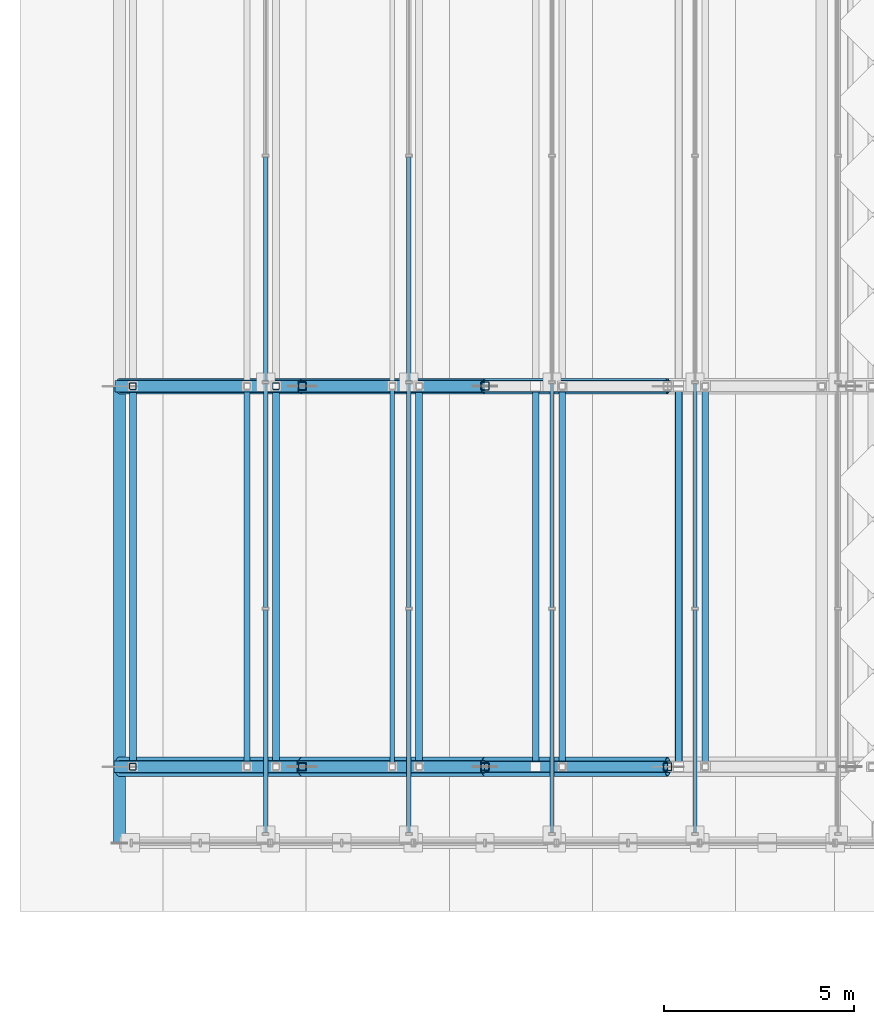
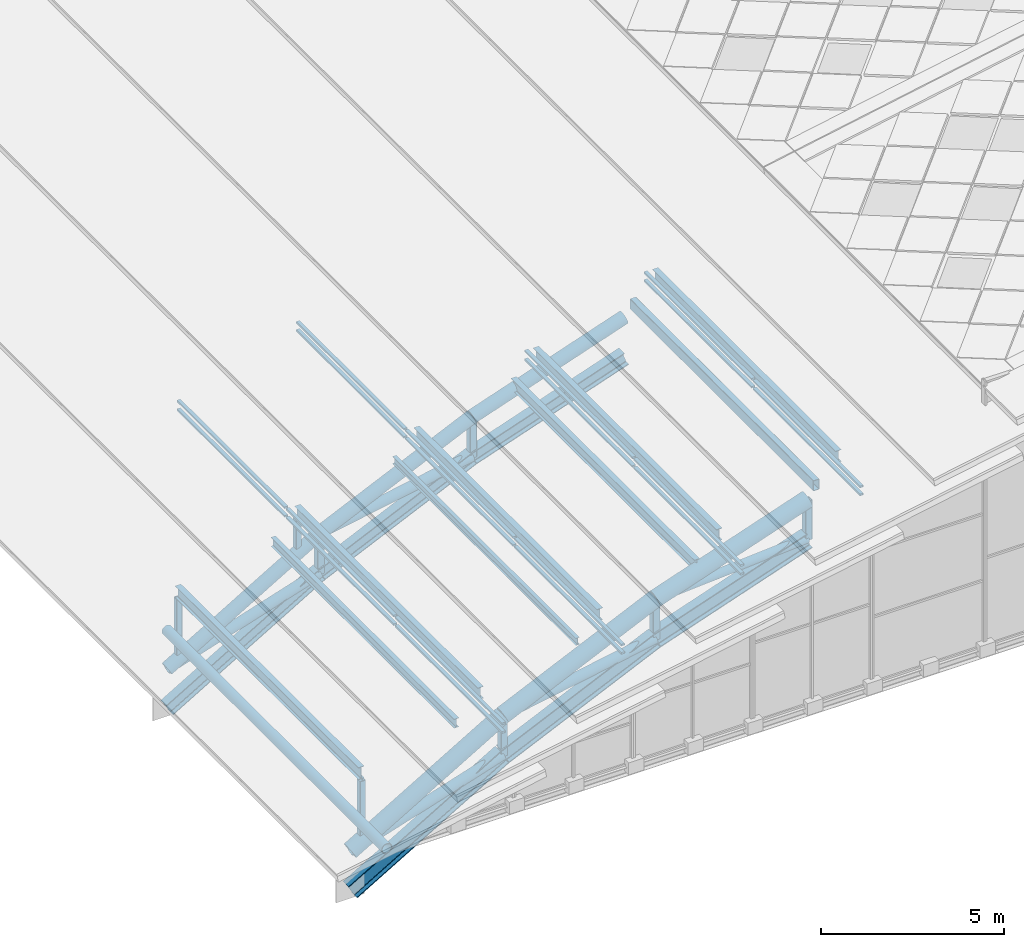
# One storey, part 4 of 117: 54 members, 1 beam, 4 elements without a shape of their own.
"""IFC4 building model written with IfcOpenShell, lengths in metres."""

from ifc_helpers import new_model, si_unit, direction, frame, origin, origin_2d, place, context, subcontext, project, spatial, hollow_rectangle, hollow_circle, i_section, extrude, material, material_profile, profile_set, type_object, element, aggregate, save


model = new_model("IFC4")

# Units and contexts
model_context = context("Model", 3, precision=1e-05, world=origin(), true_north=direction((0.0, 1.0)))
body_context = subcontext(model_context, "Body", "Model", "MODEL_VIEW")
ifc_project = project(units=[si_unit("LENGTHUNIT", "METRE"), si_unit("AREAUNIT", "SQUARE_METRE"), si_unit("VOLUMEUNIT", "CUBIC_METRE"), si_unit("PLANEANGLEUNIT", "RADIAN"), si_unit("MASSUNIT", "GRAM", prefix="KILO")], contexts=[model_context])

# Site, building, storey
site_placement = place(None, origin())
site = spatial("IfcSite", under=ifc_project, at=site_placement, CompositionType="ELEMENT")
building_placement = place(site_placement, origin())
building = spatial("IfcBuilding", under=site, at=building_placement, Name="Merenkruunu Market Hall", CompositionType="ELEMENT")
storey_placement = place(building_placement, frame((0.0, 0.0, 22.800048828125)))
storey = spatial("IfcBuildingStorey", under=building, at=storey_placement, Name="RF", CompositionType="ELEMENT", Elevation=22.800048828125)

# Members
ifc_material_1 = material(Name="Steel S355ML", Category="steel")
ifc_material_profile_1 = material_profile(ifc_material_1, hollow_circle(Radius=0.25390625, WallThickness=0.02001953125, at=origin_2d()), Name="CHS 508x20")
ifc_profile_set_1 = profile_set([ifc_material_profile_1], Name="Steel S355ML")
member_type_1 = type_object("IfcMemberType", Name="Arch Truss Chord TC01", PredefinedType="CHORD", material=ifc_profile_set_1)
member_1_placement = place(storey_placement, frame((0.0, 17.60009765625, -10.150146484375), z_axis=(0.861115679414, 0.0, 0.508409074139), x_axis=(0.0, 1.0, 0.0)))
element("IfcMember", 1, at=member_1_placement, inside=storey, type_object=member_type_1, Name="TRUSS-AT-1-TOP-01", PredefinedType="CHORD", context=body_context, shape_type="SweptSolid", body=[
    extrude(hollow_circle(Radius=0.25390625, WallThickness=0.02001953125, at=origin_2d()), origin(), (0.0, 0.0, 1.0), 5.57421875),
])
member_2_placement = place(storey_placement, frame((4.800048828125, 17.60009765625, -7.316162109375), z_axis=(0.909419998666, 0.0, 0.415878907889), x_axis=(0.0, 1.0, 0.0)))
element("IfcMember", 2, at=member_2_placement, inside=storey, type_object=member_type_1, Name="TRUSS-AT-1-TOP-02", PredefinedType="CHORD", context=body_context, shape_type="SweptSolid", body=[
    extrude(hollow_circle(Radius=0.25390625, WallThickness=0.02001953125, at=origin_2d()), origin(), (0.0, 0.0, 1.0), 5.278076171875),
])
member_3_placement = place(storey_placement, frame((9.60009765625, 17.60009765625, -5.12109375), z_axis=(0.946219828174, 0.0, 0.323524399033), x_axis=(0.0, 1.0, 0.0)))
element("IfcMember", 3, at=member_3_placement, inside=storey, type_object=member_type_1, Name="TRUSS-AT-1-TOP-03", PredefinedType="CHORD", context=body_context, shape_type="SweptSolid", body=[
    extrude(hollow_circle(Radius=0.25390625, WallThickness=0.02001953125, at=origin_2d()), origin(), (0.0, 0.0, 1.0), 5.072509765625),
])
ifc_material_profile_2 = material_profile(ifc_material_1, hollow_circle(Radius=0.203125, WallThickness=0.01611328125, at=origin_2d()), Name="CHS 406.4x16")
ifc_profile_set_2 = profile_set([ifc_material_profile_2], Name="Steel S355ML")
member_type_2 = type_object("IfcMemberType", Name="Arch Truss Chord TC02", PredefinedType="CHORD", material=ifc_profile_set_2)
member_4_placement = place(storey_placement, frame((0.0, 27.60009765625, -10.150146484375), z_axis=(0.861115679414, 0.0, 0.508409074139), x_axis=(0.0, 1.0, 0.0)))
element("IfcMember", 4, at=member_4_placement, inside=storey, type_object=member_type_2, Name="TRUSS-AT-2-TOP-01", PredefinedType="CHORD", context=body_context, shape_type="SweptSolid", body=[
    extrude(hollow_circle(Radius=0.203125, WallThickness=0.01611328125, at=origin_2d()), origin(), (0.0, 0.0, 1.0), 5.57421875),
])
member_5_placement = place(storey_placement, frame((4.800048828125, 27.60009765625, -7.316162109375), z_axis=(0.909419998666, 0.0, 0.415878907889), x_axis=(0.0, 1.0, 0.0)))
element("IfcMember", 5, at=member_5_placement, inside=storey, type_object=member_type_2, Name="TRUSS-AT-2-TOP-02", PredefinedType="CHORD", context=body_context, shape_type="SweptSolid", body=[
    extrude(hollow_circle(Radius=0.203125, WallThickness=0.01611328125, at=origin_2d()), origin(), (0.0, 0.0, 1.0), 5.278076171875),
])
member_6_placement = place(storey_placement, frame((9.60009765625, 27.60009765625, -5.12109375), z_axis=(0.946219828174, 0.0, 0.323524399033), x_axis=(0.0, 1.0, 0.0)))
element("IfcMember", 6, at=member_6_placement, inside=storey, type_object=member_type_2, Name="TRUSS-AT-2-TOP-03", PredefinedType="CHORD", context=body_context, shape_type="SweptSolid", body=[
    extrude(hollow_circle(Radius=0.203125, WallThickness=0.01611328125, at=origin_2d()), origin(), (0.0, 0.0, 1.0), 5.072509765625),
])
ifc_material_profile_3 = material_profile(ifc_material_1, i_section(OverallWidth=0.300048828125, OverallDepth=0.550048828125, WebThickness=0.014892578125, FlangeThickness=0.029052734375, FilletRadius=0.027099609375, at=origin_2d()), Name="HEB 550")
ifc_profile_set_3 = profile_set([ifc_material_profile_3], Name="Steel S355ML")
member_type_3 = type_object("IfcMemberType", Name="Arch Truss Chord TC03", PredefinedType="CHORD", material=ifc_profile_set_3)
member_7_placement = place(storey_placement, frame((0.0, 17.60009765625, -11.449951171875), z_axis=(0.861115679414, 0.0, 0.508409074139), x_axis=(0.0, 1.0, 0.0)))
element("IfcMember", 7, at=member_7_placement, inside=storey, type_object=member_type_3, Name="TRUSS-AT-1-BOT-01", PredefinedType="CHORD", context=body_context, shape_type="SweptSolid", body=[
    extrude(i_section(OverallWidth=0.300048828125, OverallDepth=0.550048828125, WebThickness=0.014892578125, FlangeThickness=0.029052734375, FilletRadius=0.027099609375, at=origin_2d()), origin(), (0.0, 0.0, 1.0), 5.57421875),
])
member_8_placement = place(storey_placement, frame((4.800048828125, 17.60009765625, -8.615966796875), z_axis=(0.909437492245, 0.0, 0.415840651812), x_axis=(0.0, 1.0, 0.0)))
element("IfcMember", 8, at=member_8_placement, inside=storey, type_object=member_type_3, Name="TRUSS-AT-1-BOT-02", PredefinedType="CHORD", context=body_context, shape_type="SweptSolid", body=[
    extrude(i_section(OverallWidth=0.300048828125, OverallDepth=0.550048828125, WebThickness=0.014892578125, FlangeThickness=0.029052734375, FilletRadius=0.027099609375, at=origin_2d()), origin(), (0.0, 0.0, 1.0), 5.278076171875),
])
member_9_placement = place(storey_placement, frame((9.60009765625, 17.60009765625, -6.421142578125), z_axis=(0.946219828174, 0.0, 0.323524399033), x_axis=(0.0, 1.0, 0.0)))
element("IfcMember", 9, at=member_9_placement, inside=storey, type_object=member_type_3, Name="TRUSS-AT-1-BOT-03", PredefinedType="CHORD", context=body_context, shape_type="SweptSolid", body=[
    extrude(i_section(OverallWidth=0.300048828125, OverallDepth=0.550048828125, WebThickness=0.014892578125, FlangeThickness=0.029052734375, FilletRadius=0.027099609375, at=origin_2d()), origin(), (0.0, 0.0, 1.0), 5.072509765625),
])
ifc_material_profile_4 = material_profile(ifc_material_1, i_section(OverallWidth=0.300048828125, OverallDepth=0.449951171875, WebThickness=0.013916015625, FlangeThickness=0.02587890625, FilletRadius=0.027099609375, at=origin_2d()), Name="HEB 450")
ifc_profile_set_4 = profile_set([ifc_material_profile_4], Name="Steel S355ML")
member_type_4 = type_object("IfcMemberType", Name="Arch Truss Chord TC04", PredefinedType="CHORD", material=ifc_profile_set_4)
member_10_placement = place(storey_placement, frame((0.0, 27.60009765625, -11.449951171875), z_axis=(0.861115679414, 0.0, 0.508409074139), x_axis=(0.0, 1.0, 0.0)))
element("IfcMember", 10, at=member_10_placement, inside=storey, type_object=member_type_4, Name="TRUSS-AT-2-BOT-01", PredefinedType="CHORD", context=body_context, shape_type="SweptSolid", body=[
    extrude(i_section(OverallWidth=0.300048828125, OverallDepth=0.449951171875, WebThickness=0.013916015625, FlangeThickness=0.02587890625, FilletRadius=0.027099609375, at=origin_2d()), origin(), (0.0, 0.0, 1.0), 5.57421875),
])
member_11_placement = place(storey_placement, frame((4.800048828125, 27.60009765625, -8.615966796875), z_axis=(0.909437492245, 0.0, 0.415840651812), x_axis=(0.0, 1.0, 0.0)))
element("IfcMember", 11, at=member_11_placement, inside=storey, type_object=member_type_4, Name="TRUSS-AT-2-BOT-02", PredefinedType="CHORD", context=body_context, shape_type="SweptSolid", body=[
    extrude(i_section(OverallWidth=0.300048828125, OverallDepth=0.449951171875, WebThickness=0.013916015625, FlangeThickness=0.02587890625, FilletRadius=0.027099609375, at=origin_2d()), origin(), (0.0, 0.0, 1.0), 5.278076171875),
])
member_12_placement = place(storey_placement, frame((9.60009765625, 27.60009765625, -6.421142578125), z_axis=(0.946219828174, 0.0, 0.323524399033), x_axis=(0.0, 1.0, 0.0)))
element("IfcMember", 12, at=member_12_placement, inside=storey, type_object=member_type_4, Name="TRUSS-AT-2-BOT-03", PredefinedType="CHORD", context=body_context, shape_type="SweptSolid", body=[
    extrude(i_section(OverallWidth=0.300048828125, OverallDepth=0.449951171875, WebThickness=0.013916015625, FlangeThickness=0.02587890625, FilletRadius=0.027099609375, at=origin_2d()), origin(), (0.0, 0.0, 1.0), 5.072509765625),
])

# Curtain wall, members
ifc_material_2 = material(Name="Powder-coated aluminium", Category="aluminium")
curtain_wall_type = type_object("IfcCurtainWallType", Name="Clerestory Curtain Band CL05", PredefinedType="USERDEFINED", material=ifc_material_2)
curtain_wall_1_placement = place(storey_placement, origin())
curtain_wall_1 = element("IfcCurtainWall", 13, at=curtain_wall_1_placement, inside=storey, type_object=curtain_wall_type, Name="CW-RF-CWM04-081", ObjectType="CLERESTORY_BAND", PredefinedType="USERDEFINED")
ifc_material_profile_5 = material_profile(ifc_material_2, hollow_rectangle(XDim=0.06005859375, YDim=0.110107421875, WallThickness=0.00390625, at=origin_2d()), Name="ALU 60x110x4")
ifc_profile_set_5 = profile_set([ifc_material_profile_5], Name="Powder-coated aluminium")
member_type_5 = type_object("IfcMemberType", Name="Curtain Wall Transom CWT03", PredefinedType="USERDEFINED", material=ifc_profile_set_5)
member_13_placement = place(storey_placement, frame((3.840087890625, 15.8701171875, -6.491943359375), z_axis=(0.0, 1.0, 0.0), x_axis=(0.0, 0.0, 1.0)))
member_13 = element("IfcMember", 14, at=member_13_placement, type_object=member_type_5, Name="CL05 transom 1.1", ObjectType="TRANSOM", PredefinedType="USERDEFINED", context=body_context, shape_type="SweptSolid", body=[
    extrude(hollow_rectangle(XDim=0.06005859375, YDim=0.110107421875, WallThickness=0.00390625, at=origin_2d()), origin(), (0.0, 0.0, 1.0), 5.844970703125),
])
member_14_placement = place(storey_placement, frame((3.840087890625, 15.8701171875, -6.2041015625), z_axis=(0.0, 1.0, 0.0), x_axis=(0.0, 0.0, 1.0)))
member_14 = element("IfcMember", 15, at=member_14_placement, type_object=member_type_5, Name="CL05 transom 1.2", ObjectType="TRANSOM", PredefinedType="USERDEFINED", context=body_context, shape_type="SweptSolid", body=[
    extrude(hollow_rectangle(XDim=0.06005859375, YDim=0.110107421875, WallThickness=0.00390625, at=origin_2d()), origin(), (0.0, 0.0, 1.0), 5.844970703125),
])
member_15_placement = place(storey_placement, frame((3.840087890625, 21.784912109375, -6.491943359375), z_axis=(0.0, 1.0, 0.0), x_axis=(0.0, 0.0, 1.0)))
member_15 = element("IfcMember", 16, at=member_15_placement, type_object=member_type_5, Name="CL05 transom 2.1", ObjectType="TRANSOM", PredefinedType="USERDEFINED", context=body_context, shape_type="SweptSolid", body=[
    extrude(hollow_rectangle(XDim=0.06005859375, YDim=0.110107421875, WallThickness=0.00390625, at=origin_2d()), origin(), (0.0, 0.0, 1.0), 5.880126953125),
])
member_16_placement = place(storey_placement, frame((3.840087890625, 21.784912109375, -6.2041015625), z_axis=(0.0, 1.0, 0.0), x_axis=(0.0, 0.0, 1.0)))
member_16 = element("IfcMember", 17, at=member_16_placement, type_object=member_type_5, Name="CL05 transom 2.2", ObjectType="TRANSOM", PredefinedType="USERDEFINED", context=body_context, shape_type="SweptSolid", body=[
    extrude(hollow_rectangle(XDim=0.06005859375, YDim=0.110107421875, WallThickness=0.00390625, at=origin_2d()), origin(), (0.0, 0.0, 1.0), 5.880126953125),
])
member_17_placement = place(storey_placement, frame((3.840087890625, 27.735107421875, -6.491943359375), z_axis=(0.0, 1.0, 0.0), x_axis=(0.0, 0.0, 1.0)))
member_17 = element("IfcMember", 18, at=member_17_placement, type_object=member_type_5, Name="CL05 transom 3.1", ObjectType="TRANSOM", PredefinedType="USERDEFINED", context=body_context, shape_type="SweptSolid", body=[
    extrude(hollow_rectangle(XDim=0.06005859375, YDim=0.110107421875, WallThickness=0.00390625, at=origin_2d()), origin(), (0.0, 0.0, 1.0), 5.8798828125),
])
member_18_placement = place(storey_placement, frame((3.840087890625, 27.735107421875, -6.2041015625), z_axis=(0.0, 1.0, 0.0), x_axis=(0.0, 0.0, 1.0)))
member_18 = element("IfcMember", 19, at=member_18_placement, type_object=member_type_5, Name="CL05 transom 3.2", ObjectType="TRANSOM", PredefinedType="USERDEFINED", context=body_context, shape_type="SweptSolid", body=[
    extrude(hollow_rectangle(XDim=0.06005859375, YDim=0.110107421875, WallThickness=0.00390625, at=origin_2d()), origin(), (0.0, 0.0, 1.0), 5.8798828125),
])
aggregate(curtain_wall_1, [member_13, member_14, member_15, member_16, member_17, member_18])

curtain_wall_2_placement = place(storey_placement, origin())
curtain_wall_2 = element("IfcCurtainWall", 20, at=curtain_wall_2_placement, inside=storey, type_object=curtain_wall_type, Name="CW-RF-CWM04-089", ObjectType="CLERESTORY_BAND", PredefinedType="USERDEFINED")
member_19_placement = place(storey_placement, frame((7.60009765625, 15.8701171875, -5.172119140625), z_axis=(0.0, 1.0, 0.0), x_axis=(0.0, 0.0, 1.0)))
member_19 = element("IfcMember", 21, at=member_19_placement, type_object=member_type_5, Name="CL05 transom 1.1", ObjectType="TRANSOM", PredefinedType="USERDEFINED", context=body_context, shape_type="SweptSolid", body=[
    extrude(hollow_rectangle(XDim=0.06005859375, YDim=0.110107421875, WallThickness=0.00390625, at=origin_2d()), origin(), (0.0, 0.0, 1.0), 5.844970703125),
])
member_20_placement = place(storey_placement, frame((7.60009765625, 15.8701171875, -4.905029296875), z_axis=(0.0, 1.0, 0.0), x_axis=(0.0, 0.0, 1.0)))
member_20 = element("IfcMember", 22, at=member_20_placement, type_object=member_type_5, Name="CL05 transom 1.2", ObjectType="TRANSOM", PredefinedType="USERDEFINED", context=body_context, shape_type="SweptSolid", body=[
    extrude(hollow_rectangle(XDim=0.06005859375, YDim=0.110107421875, WallThickness=0.00390625, at=origin_2d()), origin(), (0.0, 0.0, 1.0), 5.844970703125),
])
member_21_placement = place(storey_placement, frame((7.60009765625, 21.784912109375, -5.172119140625), z_axis=(0.0, 1.0, 0.0), x_axis=(0.0, 0.0, 1.0)))
member_21 = element("IfcMember", 23, at=member_21_placement, type_object=member_type_5, Name="CL05 transom 2.1", ObjectType="TRANSOM", PredefinedType="USERDEFINED", context=body_context, shape_type="SweptSolid", body=[
    extrude(hollow_rectangle(XDim=0.06005859375, YDim=0.110107421875, WallThickness=0.00390625, at=origin_2d()), origin(), (0.0, 0.0, 1.0), 5.880126953125),
])
member_22_placement = place(storey_placement, frame((7.60009765625, 21.784912109375, -4.905029296875), z_axis=(0.0, 1.0, 0.0), x_axis=(0.0, 0.0, 1.0)))
member_22 = element("IfcMember", 24, at=member_22_placement, type_object=member_type_5, Name="CL05 transom 2.2", ObjectType="TRANSOM", PredefinedType="USERDEFINED", context=body_context, shape_type="SweptSolid", body=[
    extrude(hollow_rectangle(XDim=0.06005859375, YDim=0.110107421875, WallThickness=0.00390625, at=origin_2d()), origin(), (0.0, 0.0, 1.0), 5.880126953125),
])
member_23_placement = place(storey_placement, frame((7.60009765625, 27.735107421875, -5.172119140625), z_axis=(0.0, 1.0, 0.0), x_axis=(0.0, 0.0, 1.0)))
member_23 = element("IfcMember", 25, at=member_23_placement, type_object=member_type_5, Name="CL05 transom 3.1", ObjectType="TRANSOM", PredefinedType="USERDEFINED", context=body_context, shape_type="SweptSolid", body=[
    extrude(hollow_rectangle(XDim=0.06005859375, YDim=0.110107421875, WallThickness=0.00390625, at=origin_2d()), origin(), (0.0, 0.0, 1.0), 5.8798828125),
])
member_24_placement = place(storey_placement, frame((7.60009765625, 27.735107421875, -4.905029296875), z_axis=(0.0, 1.0, 0.0), x_axis=(0.0, 0.0, 1.0)))
member_24 = element("IfcMember", 26, at=member_24_placement, type_object=member_type_5, Name="CL05 transom 3.2", ObjectType="TRANSOM", PredefinedType="USERDEFINED", context=body_context, shape_type="SweptSolid", body=[
    extrude(hollow_rectangle(XDim=0.06005859375, YDim=0.110107421875, WallThickness=0.00390625, at=origin_2d()), origin(), (0.0, 0.0, 1.0), 5.8798828125),
])
aggregate(curtain_wall_2, [member_19, member_20, member_21, member_22, member_23, member_24])

curtain_wall_3_placement = place(storey_placement, origin())
curtain_wall_3 = element("IfcCurtainWall", 27, at=curtain_wall_3_placement, inside=storey, type_object=curtain_wall_type, Name="CW-RF-CWM04-097", ObjectType="CLERESTORY_BAND", PredefinedType="USERDEFINED")
member_25_placement = place(storey_placement, frame((11.360107421875, 15.8701171875, -3.85205078125), z_axis=(0.0, 1.0, 0.0), x_axis=(0.0, 0.0, 1.0)))
member_25 = element("IfcMember", 28, at=member_25_placement, type_object=member_type_5, Name="CL05 transom 1.1", ObjectType="TRANSOM", PredefinedType="USERDEFINED", context=body_context, shape_type="SweptSolid", body=[
    extrude(hollow_rectangle(XDim=0.06005859375, YDim=0.110107421875, WallThickness=0.00390625, at=origin_2d()), origin(), (0.0, 0.0, 1.0), 5.844970703125),
])
member_26_placement = place(storey_placement, frame((11.360107421875, 15.8701171875, -3.56396484375), z_axis=(0.0, 1.0, 0.0), x_axis=(0.0, 0.0, 1.0)))
member_26 = element("IfcMember", 29, at=member_26_placement, type_object=member_type_5, Name="CL05 transom 1.2", ObjectType="TRANSOM", PredefinedType="USERDEFINED", context=body_context, shape_type="SweptSolid", body=[
    extrude(hollow_rectangle(XDim=0.06005859375, YDim=0.110107421875, WallThickness=0.00390625, at=origin_2d()), origin(), (0.0, 0.0, 1.0), 5.844970703125),
])
member_27_placement = place(storey_placement, frame((11.360107421875, 21.784912109375, -3.85205078125), z_axis=(0.0, 1.0, 0.0), x_axis=(0.0, 0.0, 1.0)))
member_27 = element("IfcMember", 30, at=member_27_placement, type_object=member_type_5, Name="CL05 transom 2.1", ObjectType="TRANSOM", PredefinedType="USERDEFINED", context=body_context, shape_type="SweptSolid", body=[
    extrude(hollow_rectangle(XDim=0.06005859375, YDim=0.110107421875, WallThickness=0.00390625, at=origin_2d()), origin(), (0.0, 0.0, 1.0), 5.880126953125),
])
member_28_placement = place(storey_placement, frame((11.360107421875, 21.784912109375, -3.56396484375), z_axis=(0.0, 1.0, 0.0), x_axis=(0.0, 0.0, 1.0)))
member_28 = element("IfcMember", 31, at=member_28_placement, type_object=member_type_5, Name="CL05 transom 2.2", ObjectType="TRANSOM", PredefinedType="USERDEFINED", context=body_context, shape_type="SweptSolid", body=[
    extrude(hollow_rectangle(XDim=0.06005859375, YDim=0.110107421875, WallThickness=0.00390625, at=origin_2d()), origin(), (0.0, 0.0, 1.0), 5.880126953125),
])
aggregate(curtain_wall_3, [member_25, member_26, member_27, member_28])

curtain_wall_4_placement = place(storey_placement, origin())
curtain_wall_4 = element("IfcCurtainWall", 32, at=curtain_wall_4_placement, inside=storey, type_object=curtain_wall_type, Name="CW-RF-CWM04-105", ObjectType="CLERESTORY_BAND", PredefinedType="USERDEFINED")
member_29_placement = place(storey_placement, frame((15.1201171875, 15.8701171875, -2.531982421875), z_axis=(0.0, 1.0, 0.0), x_axis=(0.0, 0.0, 1.0)))
member_29 = element("IfcMember", 33, at=member_29_placement, type_object=member_type_5, Name="CL05 transom 1.1", ObjectType="TRANSOM", PredefinedType="USERDEFINED", context=body_context, shape_type="SweptSolid", body=[
    extrude(hollow_rectangle(XDim=0.06005859375, YDim=0.110107421875, WallThickness=0.00390625, at=origin_2d()), origin(), (0.0, 0.0, 1.0), 5.844970703125),
])
member_30_placement = place(storey_placement, frame((15.1201171875, 15.8701171875, -2.26513671875), z_axis=(0.0, 1.0, 0.0), x_axis=(0.0, 0.0, 1.0)))
member_30 = element("IfcMember", 34, at=member_30_placement, type_object=member_type_5, Name="CL05 transom 1.2", ObjectType="TRANSOM", PredefinedType="USERDEFINED", context=body_context, shape_type="SweptSolid", body=[
    extrude(hollow_rectangle(XDim=0.06005859375, YDim=0.110107421875, WallThickness=0.00390625, at=origin_2d()), origin(), (0.0, 0.0, 1.0), 5.844970703125),
])
member_31_placement = place(storey_placement, frame((15.1201171875, 21.784912109375, -2.531982421875), z_axis=(0.0, 1.0, 0.0), x_axis=(0.0, 0.0, 1.0)))
member_31 = element("IfcMember", 35, at=member_31_placement, type_object=member_type_5, Name="CL05 transom 2.1", ObjectType="TRANSOM", PredefinedType="USERDEFINED", context=body_context, shape_type="SweptSolid", body=[
    extrude(hollow_rectangle(XDim=0.06005859375, YDim=0.110107421875, WallThickness=0.00390625, at=origin_2d()), origin(), (0.0, 0.0, 1.0), 5.880126953125),
])
member_32_placement = place(storey_placement, frame((15.1201171875, 21.784912109375, -2.26513671875), z_axis=(0.0, 1.0, 0.0), x_axis=(0.0, 0.0, 1.0)))
member_32 = element("IfcMember", 36, at=member_32_placement, type_object=member_type_5, Name="CL05 transom 2.2", ObjectType="TRANSOM", PredefinedType="USERDEFINED", context=body_context, shape_type="SweptSolid", body=[
    extrude(hollow_rectangle(XDim=0.06005859375, YDim=0.110107421875, WallThickness=0.00390625, at=origin_2d()), origin(), (0.0, 0.0, 1.0), 5.880126953125),
])
aggregate(curtain_wall_4, [member_29, member_30, member_31, member_32])

# Members
ifc_material_profile_6 = material_profile(ifc_material_1, hollow_circle(Radius=0.161865234375, WallThickness=0.01611328125, at=origin_2d()), Name="CHS 323.9x16")
ifc_profile_set_6 = profile_set([ifc_material_profile_6], Name="Steel S355ML")
member_type_6 = type_object("IfcMemberType", Name="Diagonal Sway Brace BR01", PredefinedType="BRACE", material=ifc_profile_set_6)
member_33_placement = place(storey_placement, frame((0.0, 17.60009765625, -10.150146484375), z_axis=(0.95252984503, 0.0, 0.304445223853), x_axis=(0.0, 1.0, 0.0)))
element("IfcMember", 37, at=member_33_placement, inside=storey, type_object=member_type_6, Name="TRUSS-AT-1-DIAG-01", PredefinedType="BRACE", context=body_context, shape_type="SweptSolid", body=[
    extrude(hollow_circle(Radius=0.161865234375, WallThickness=0.01611328125, at=origin_2d()), origin(), (0.0, 0.0, 1.0), 5.039306640625),
])
member_34_placement = place(storey_placement, frame((4.800048828125, 17.60009765625, -7.316162109375), z_axis=(0.983056786802, 0.0, 0.18330126547), x_axis=(0.0, 1.0, 0.0)))
element("IfcMember", 38, at=member_34_placement, inside=storey, type_object=member_type_6, Name="TRUSS-AT-1-DIAG-02", PredefinedType="BRACE", context=body_context, shape_type="SweptSolid", body=[
    extrude(hollow_circle(Radius=0.161865234375, WallThickness=0.01611328125, at=origin_2d()), origin(), (0.0, 0.0, 1.0), 4.8828125),
])
member_35_placement = place(storey_placement, frame((0.0, 27.60009765625, -10.150146484375), z_axis=(0.95252984503, 0.0, 0.304445223853), x_axis=(0.0, 1.0, 0.0)))
element("IfcMember", 39, at=member_35_placement, inside=storey, type_object=member_type_6, Name="TRUSS-AT-2-DIAG-01", PredefinedType="BRACE", context=body_context, shape_type="SweptSolid", body=[
    extrude(hollow_circle(Radius=0.161865234375, WallThickness=0.01611328125, at=origin_2d()), origin(), (0.0, 0.0, 1.0), 5.039306640625),
])
member_36_placement = place(storey_placement, frame((4.800048828125, 27.60009765625, -7.316162109375), z_axis=(0.983056786802, 0.0, 0.18330126547), x_axis=(0.0, 1.0, 0.0)))
element("IfcMember", 40, at=member_36_placement, inside=storey, type_object=member_type_6, Name="TRUSS-AT-2-DIAG-02", PredefinedType="BRACE", context=body_context, shape_type="SweptSolid", body=[
    extrude(hollow_circle(Radius=0.161865234375, WallThickness=0.01611328125, at=origin_2d()), origin(), (0.0, 0.0, 1.0), 4.8828125),
])
ifc_material_profile_7 = material_profile(ifc_material_1, hollow_circle(Radius=0.136474609375, WallThickness=0.012451171875, at=origin_2d()), Name="CHS 273x12.5")
ifc_profile_set_7 = profile_set([ifc_material_profile_7], Name="Steel S355ML")
member_type_7 = type_object("IfcMemberType", Name="Diagonal Sway Brace BR02", PredefinedType="BRACE", material=ifc_profile_set_7)
member_37_placement = place(storey_placement, frame((9.60009765625, 17.60009765625, -5.12109375), z_axis=(0.997484901828, 0.0, 0.070879267948), x_axis=(0.0, 1.0, 0.0)))
element("IfcMember", 41, at=member_37_placement, inside=storey, type_object=member_type_7, Name="TRUSS-AT-1-DIAG-03", PredefinedType="BRACE", context=body_context, shape_type="SweptSolid", body=[
    extrude(hollow_circle(Radius=0.136474609375, WallThickness=0.012451171875, at=origin_2d()), origin(), (0.0, 0.0, 1.0), 4.81201171875),
])
ifc_material_3 = material(Name="Steel S355J2", Category="steel")
ifc_material_profile_8 = material_profile(ifc_material_3, hollow_rectangle(XDim=0.219970703125, YDim=0.219970703125, WallThickness=0.012451171875, InnerFilletRadius=0.012451171875, OuterFilletRadius=0.02490234375, at=origin_2d()), Name="SHS 220x220x12.5")
ifc_profile_set_8 = profile_set([ifc_material_profile_8], Name="Steel S355J2")
member_type_8 = type_object("IfcMemberType", Name="Diagonal Sway Brace BR04", PredefinedType="BRACE", material=ifc_profile_set_8)
member_38_placement = place(storey_placement, frame((4.800048828125, 17.60009765625, -8.615966796875), z_axis=(0.0, 0.0, 1.0), x_axis=(1.0, 0.0, 0.0)))
element("IfcMember", 42, at=member_38_placement, inside=storey, type_object=member_type_8, Name="TRUSS-AT-1-POST-01", PredefinedType="BRACE", context=body_context, shape_type="SweptSolid", body=[
    extrude(hollow_rectangle(XDim=0.219970703125, YDim=0.219970703125, WallThickness=0.012451171875, InnerFilletRadius=0.012451171875, OuterFilletRadius=0.02490234375, at=origin_2d()), origin(), (0.0, 0.0, 1.0), 1.2998046875),
])
for number, where, z_axis, x_axis, name in (
    (43, (9.60009765625, 17.60009765625, -6.421142578125), (0.0, 0.0, 1.0), (1.0, 0.0, 0.0), "TRUSS-AT-1-POST-02"),
    (44, (14.39990234375, 17.60009765625, -4.780029296875), (0.0, 0.0, 1.0), (1.0, 0.0, 0.0), "TRUSS-AT-1-POST-03"),
):
    element("IfcMember", number, at=place(storey_placement, frame(where, z_axis=z_axis, x_axis=x_axis)), inside=storey, type_object=member_type_8, Name=name, PredefinedType="BRACE", context=body_context, shape_type="SweptSolid", body=[
        extrude(hollow_rectangle(XDim=0.219970703125, YDim=0.219970703125, WallThickness=0.012451171875, InnerFilletRadius=0.012451171875, OuterFilletRadius=0.02490234375, at=origin_2d()), origin(), (0.0, 0.0, 1.0), 1.300048828125),
    ])
member_39_placement = place(storey_placement, frame((4.800048828125, 27.60009765625, -8.615966796875), z_axis=(0.0, 0.0, 1.0), x_axis=(1.0, 0.0, 0.0)))
element("IfcMember", 45, at=member_39_placement, inside=storey, type_object=member_type_8, Name="TRUSS-AT-2-POST-01", PredefinedType="BRACE", context=body_context, shape_type="SweptSolid", body=[
    extrude(hollow_rectangle(XDim=0.219970703125, YDim=0.219970703125, WallThickness=0.012451171875, InnerFilletRadius=0.012451171875, OuterFilletRadius=0.02490234375, at=origin_2d()), origin(), (0.0, 0.0, 1.0), 1.2998046875),
])
member_40_placement = place(storey_placement, frame((9.60009765625, 27.60009765625, -6.421142578125), z_axis=(0.0, 0.0, 1.0), x_axis=(1.0, 0.0, 0.0)))
element("IfcMember", 46, at=member_40_placement, inside=storey, type_object=member_type_8, Name="TRUSS-AT-2-POST-02", PredefinedType="BRACE", context=body_context, shape_type="SweptSolid", body=[
    extrude(hollow_rectangle(XDim=0.219970703125, YDim=0.219970703125, WallThickness=0.012451171875, InnerFilletRadius=0.012451171875, OuterFilletRadius=0.02490234375, at=origin_2d()), origin(), (0.0, 0.0, 1.0), 1.300048828125),
])
ifc_material_profile_9 = material_profile(ifc_material_3, hollow_rectangle(XDim=0.179931640625, YDim=0.179931640625, WallThickness=0.010009765625, InnerFilletRadius=0.010009765625, OuterFilletRadius=0.02001953125, at=origin_2d()), Name="SHS 180x180x10")
ifc_profile_set_9 = profile_set([ifc_material_profile_9], Name="Steel S355J2")
member_type_9 = type_object("IfcMemberType", Name="Diagonal Sway Brace BR05", PredefinedType="BRACE", material=ifc_profile_set_9)
member_41_placement = place(storey_placement, frame((0.35009765625, 17.60009765625, -9.700927734375), z_axis=(0.0, 0.0, 1.0), x_axis=(1.0, 0.0, 0.0)))
element("IfcMember", 47, at=member_41_placement, inside=storey, type_object=member_type_9, Name="TRUSS-AT-1-RISER-W1-1", PredefinedType="BRACE", context=body_context, shape_type="SweptSolid", body=[
    extrude(hollow_rectangle(XDim=0.179931640625, YDim=0.179931640625, WallThickness=0.010009765625, InnerFilletRadius=0.010009765625, OuterFilletRadius=0.02001953125, at=origin_2d()), origin(), (0.0, 0.0, 1.0), 1.802490234375),
])
member_42_placement = place(storey_placement, frame((0.35009765625, 27.60009765625, -9.751953125), z_axis=(0.0, 0.0, 1.0), x_axis=(1.0, 0.0, 0.0)))
element("IfcMember", 48, at=member_42_placement, inside=storey, type_object=member_type_9, Name="TRUSS-AT-2-RISER-W1-1", PredefinedType="BRACE", context=body_context, shape_type="SweptSolid", body=[
    extrude(hollow_rectangle(XDim=0.179931640625, YDim=0.179931640625, WallThickness=0.010009765625, InnerFilletRadius=0.010009765625, OuterFilletRadius=0.02001953125, at=origin_2d()), origin(), (0.0, 0.0, 1.0), 1.853515625),
])
member_43_placement = place(storey_placement, frame((4.110107421875, 27.60009765625, -7.53173828125), z_axis=(0.0, 0.0, 1.0), x_axis=(1.0, 0.0, 0.0)))
element("IfcMember", 49, at=member_43_placement, inside=storey, type_object=member_type_9, Name="TRUSS-AT-2-RISER-W2-1", PredefinedType="BRACE", context=body_context, shape_type="SweptSolid", body=[
    extrude(hollow_rectangle(XDim=0.179931640625, YDim=0.179931640625, WallThickness=0.010009765625, InnerFilletRadius=0.010009765625, OuterFilletRadius=0.02001953125, at=origin_2d()), origin(), (0.0, 0.0, 1.0), 0.9736328125),
])

# Beam
ifc_material_profile_10 = material_profile(ifc_material_1, hollow_circle(Radius=0.161865234375, WallThickness=0.01611328125, at=origin_2d()), Name="CHS 323.9x16")
ifc_profile_set_10 = profile_set([ifc_material_profile_10], Name="Steel S355ML")
beam_type = type_object("IfcBeamType", Name="Perimeter Spandrel Beam SP05", PredefinedType="SPANDREL", material=ifc_profile_set_10)
beam_placement = place(storey_placement, frame((0.0, 15.60009765625, -8.862060546875), z_axis=(0.0, 1.0, 0.0), x_axis=(-1.0, 0.0, 0.0)))
element("IfcBeam", 50, at=beam_placement, inside=storey, type_object=beam_type, Name="BM-RF-SP05-1265", PredefinedType="SPANDREL", context=body_context, shape_type="SweptSolid", body=[
    extrude(hollow_circle(Radius=0.161865234375, WallThickness=0.01611328125, at=origin_2d()), origin(), (0.0, 0.0, 1.0), 12.0),
])

# Members
ifc_material_profile_11 = material_profile(ifc_material_1, i_section(OverallWidth=0.14990234375, OverallDepth=0.300048828125, WebThickness=0.007080078125, FlangeThickness=0.0107421875, FilletRadius=0.014892578125, at=origin_2d()), Name="IPE 300")
ifc_profile_set_11 = profile_set([ifc_material_profile_11], Name="Steel S355ML")
member_type_10 = type_object("IfcMemberType", Name="Roof Purlin Rafter PR01", PredefinedType="PURLIN", material=ifc_profile_set_11)
member_44_placement = place(storey_placement, frame((3.35009765625, 17.60009765625, -7.071533203125), z_axis=(0.0, 1.0, 0.0), x_axis=(-1.0, 0.0, 0.0)))
element("IfcMember", 51, at=member_44_placement, inside=storey, type_object=member_type_10, Name="MEM-RF-PURL-W-017", PredefinedType="PURLIN", context=body_context, shape_type="SweptSolid", body=[
    extrude(i_section(OverallWidth=0.14990234375, OverallDepth=0.300048828125, WebThickness=0.007080078125, FlangeThickness=0.0107421875, FilletRadius=0.014892578125, at=origin_2d()), origin(), (0.0, 0.0, 1.0), 10.0),
])
ifc_material_profile_12 = material_profile(ifc_material_1, i_section(OverallWidth=0.1201171875, OverallDepth=0.239990234375, WebThickness=0.006103515625, FlangeThickness=0.009765625, FilletRadius=0.014892578125, at=origin_2d()), Name="IPE 240")
ifc_profile_set_12 = profile_set([ifc_material_profile_12], Name="Steel S355ML")
member_type_11 = type_object("IfcMemberType", Name="Roof Purlin Rafter PR02", PredefinedType="PURLIN", material=ifc_profile_set_12)
member_45_placement = place(storey_placement, frame((7.169921875, 17.60009765625, -5.687255859375), z_axis=(0.0, 1.0, 0.0), x_axis=(-1.0, 0.0, 0.0)))
element("IfcMember", 52, at=member_45_placement, inside=storey, type_object=member_type_11, Name="MEM-RF-PURL-W-049", PredefinedType="PURLIN", context=body_context, shape_type="SweptSolid", body=[
    extrude(i_section(OverallWidth=0.1201171875, OverallDepth=0.239990234375, WebThickness=0.006103515625, FlangeThickness=0.009765625, FilletRadius=0.014892578125, at=origin_2d()), origin(), (0.0, 0.0, 1.0), 10.0),
])
ifc_material_profile_13 = material_profile(ifc_material_1, i_section(OverallWidth=0.169921875, OverallDepth=0.360107421875, WebThickness=0.008056640625, FlangeThickness=0.0126953125, FilletRadius=0.01806640625, at=origin_2d()), Name="IPE 360")
ifc_profile_set_13 = profile_set([ifc_material_profile_13], Name="Steel S355ML")
member_type_12 = type_object("IfcMemberType", Name="Roof Purlin Rafter PR03", PredefinedType="PURLIN", material=ifc_profile_set_13)
member_46_placement = place(storey_placement, frame((10.929931640625, 17.60009765625, -4.452392578125), z_axis=(0.0, 1.0, 0.0), x_axis=(-1.0, 0.0, 0.0)))
element("IfcMember", 53, at=member_46_placement, inside=storey, type_object=member_type_12, Name="MEM-RF-PURL-W-081", PredefinedType="PURLIN", context=body_context, shape_type="SweptSolid", body=[
    extrude(i_section(OverallWidth=0.169921875, OverallDepth=0.360107421875, WebThickness=0.008056640625, FlangeThickness=0.0126953125, FilletRadius=0.01806640625, at=origin_2d()), origin(), (0.0, 0.0, 1.0), 10.0),
])
ifc_material_profile_14 = material_profile(ifc_material_1, hollow_rectangle(XDim=0.199951171875, YDim=0.35009765625, WallThickness=0.012451171875, InnerFilletRadius=0.012451171875, OuterFilletRadius=0.02490234375, at=origin_2d()), Name="RHS 350x200x12.5")
ifc_profile_set_14 = profile_set([ifc_material_profile_14], Name="Steel S355ML")
member_type_13 = type_object("IfcMemberType", Name="Roof Purlin Rafter PR06", PredefinedType="PURLIN", material=ifc_profile_set_14)
member_47_placement = place(storey_placement, frame((14.68994140625, 17.60009765625, -3.10986328125), z_axis=(0.0, 1.0, 0.0), x_axis=(-1.0, 0.0, 0.0)))
element("IfcMember", 54, at=member_47_placement, inside=storey, type_object=member_type_13, Name="MEM-RF-PURL-W-113", PredefinedType="PURLIN", context=body_context, shape_type="SweptSolid", body=[
    extrude(hollow_rectangle(XDim=0.199951171875, YDim=0.35009765625, WallThickness=0.012451171875, InnerFilletRadius=0.012451171875, OuterFilletRadius=0.02490234375, at=origin_2d()), origin(), (0.0, 0.0, 1.0), 10.0),
])
ifc_material_profile_15 = material_profile(ifc_material_1, i_section(OverallWidth=0.179931640625, OverallDepth=0.39990234375, WebThickness=0.008544921875, FlangeThickness=0.013427734375, FilletRadius=0.02099609375, at=origin_2d()), Name="IPE 400")
ifc_profile_set_15 = profile_set([ifc_material_profile_15], Name="Steel S355ML")
member_type_14 = type_object("IfcMemberType", Name="Roof Purlin Rafter PR09", PredefinedType="PURLIN", material=ifc_profile_set_15)
for number, where, z_axis, x_axis, name in (
    (55, (0.35009765625, 17.60009765625, -7.680419921875), (0.0, 1.0, 0.0), (-1.0, 0.0, 0.0), "MEM-RF-PURL-W-001"),
    (56, (4.110107421875, 17.60009765625, -6.340087890625), (0.0, 1.0, 0.0), (-1.0, 0.0, 0.0), "MEM-RF-PURL-W-033"),
    (57, (7.8701171875, 17.60009765625, -5.040283203125), (0.0, 1.0, 0.0), (-1.0, 0.0, 0.0), "MEM-RF-PURL-W-065"),
    (58, (11.6298828125, 17.60009765625, -3.699951171875), (0.0, 1.0, 0.0), (-1.0, 0.0, 0.0), "MEM-RF-PURL-W-097"),
    (59, (15.389892578125, 17.60009765625, -2.400390625), (0.0, 1.0, 0.0), (-1.0, 0.0, 0.0), "MEM-RF-PURL-W-129"),
):
    element("IfcMember", number, at=place(storey_placement, frame(where, z_axis=z_axis, x_axis=x_axis)), inside=storey, type_object=member_type_14, Name=name, PredefinedType="PURLIN", context=body_context, shape_type="SweptSolid", body=[
        extrude(i_section(OverallWidth=0.179931640625, OverallDepth=0.39990234375, WebThickness=0.008544921875, FlangeThickness=0.013427734375, FilletRadius=0.02099609375, at=origin_2d()), origin(), (0.0, 0.0, 1.0), 10.0),
    ])

save(model, "model.ifc")
